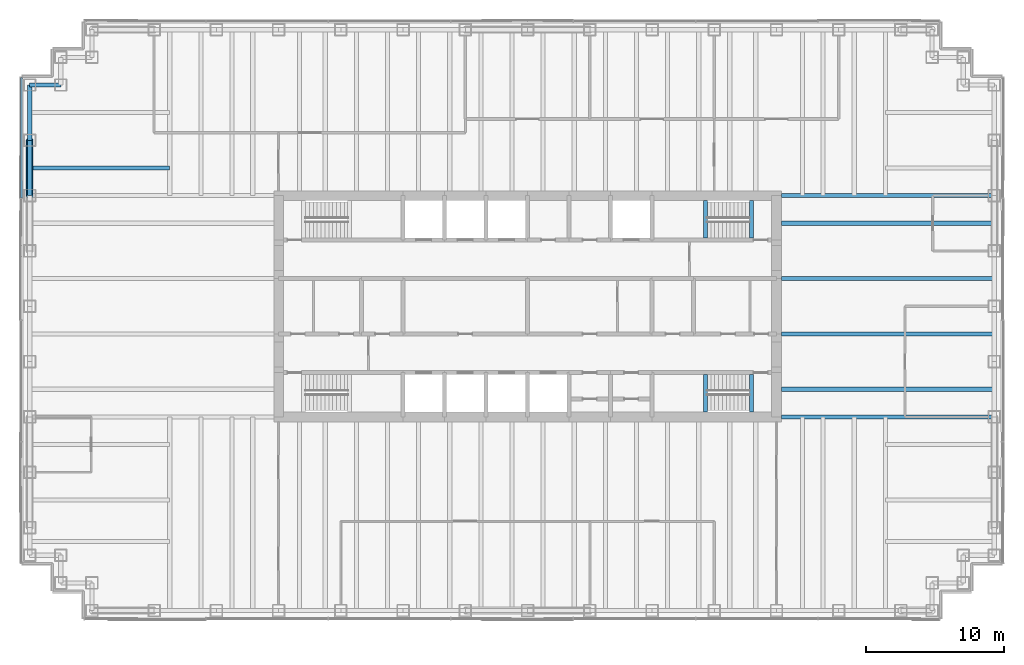
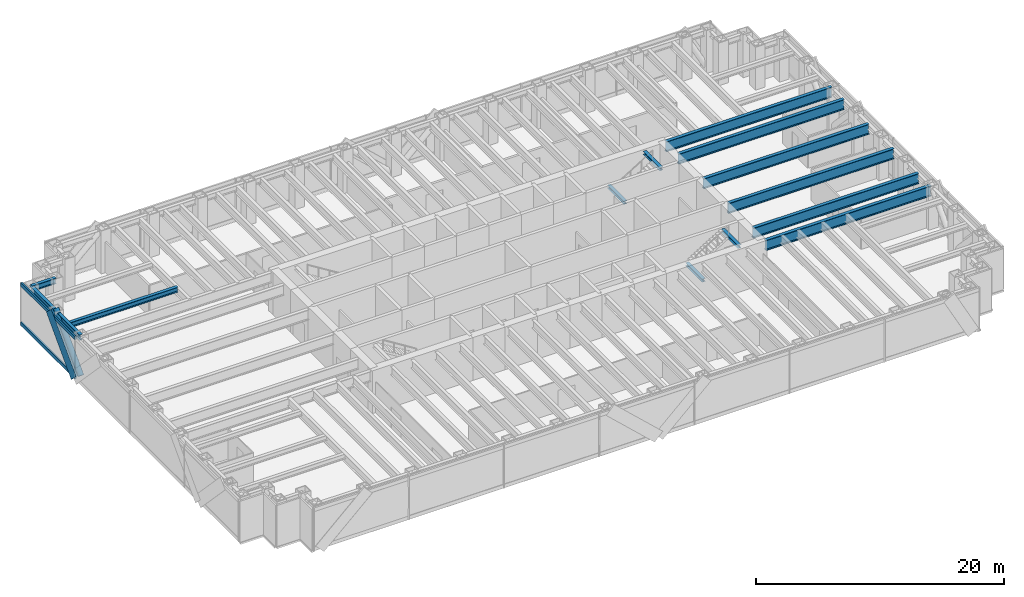
# One storey, part 5 of 17: 14 beams, 4 members, 1 element without a shape of its own.
"""IFC4 building model written with IfcOpenShell, lengths in metres."""

from ifc_helpers import new_model, si_unit, direction, frame, origin, origin_2d, place, context, subcontext, project, spatial, rectangle, hollow_circle, i_section, extrude, material, material_profile, profile_set, type_object, element, aggregate, save


model = new_model("IFC4")

# Units and contexts
model_context = context("Model", 3, precision=1e-05, world=origin(), true_north=direction((0.0, 1.0)))
body_context = subcontext(model_context, "Body", "Model", "MODEL_VIEW")
ifc_project = project(units=[si_unit("LENGTHUNIT", "METRE"), si_unit("AREAUNIT", "SQUARE_METRE"), si_unit("VOLUMEUNIT", "CUBIC_METRE"), si_unit("PLANEANGLEUNIT", "RADIAN"), si_unit("MASSUNIT", "GRAM", prefix="KILO")], contexts=[model_context])

# Site, building, storey
site_placement = place(None, origin())
site = spatial("IfcSite", under=ifc_project, at=site_placement, CompositionType="ELEMENT")
building_placement = place(site_placement, origin())
building = spatial("IfcBuilding", under=site, at=building_placement, Name="Rheinbord Bourse Tower", CompositionType="ELEMENT")
storey_placement = place(building_placement, frame((0.0, 0.0, 304.699951171875)))
storey = spatial("IfcBuildingStorey", under=building, at=storey_placement, Name="L69", CompositionType="ELEMENT", Elevation=304.699951171875)

# Curtain wall, members
ifc_material_1 = material(Name="Dark glass and black aluminium", Category="aluminium")
curtain_wall_type = type_object("IfcCurtainWallType", Name="CW3 DARK GLASS CURTAIN WALL", PredefinedType="USERDEFINED", material=ifc_material_1)
curtain_wall_placement = place(storey_placement, origin())
curtain_wall = element("IfcCurtainWall", 1, at=curtain_wall_placement, inside=storey, type_object=curtain_wall_type, Name="Curtain wall CW3 W L69", ObjectType="UNITISED CURTAIN WALL", PredefinedType="USERDEFINED")
ifc_material_2 = material(Name="Black anodised aluminium", Category="aluminium")
ifc_material_profile_1 = material_profile(ifc_material_2, rectangle(XDim=0.14990234375, YDim=1.10791015625, at=origin_2d()), Name="CW3 DIAGONAL MULLION 1108x150")
ifc_profile_set_1 = profile_set([ifc_material_profile_1], Name="Black anodised aluminium")
member_type_1 = type_object("IfcMemberType", Name="CW3 BLACK DIAGONAL MULLION", PredefinedType="USERDEFINED", material=ifc_profile_set_1)
member_1_placement = place(storey_placement, frame((-0.60009765625, 32.0, 0.0), z_axis=(0.0, 0.689659376744, 0.724133926887), x_axis=(-1.0, 0.0, 0.0)))
member_1 = element("IfcMember", 2, at=member_1_placement, type_object=member_type_1, Name="CW3 diagonal mullion b", ObjectType="DIAGONAL MULLION", PredefinedType="USERDEFINED", context=body_context, shape_type="SweptSolid", body=[
    extrude(rectangle(XDim=0.14990234375, YDim=1.10791015625, at=origin_2d()), origin(), (0.0, 0.0, 1.0), 5.800048828125),
])
ifc_material_3 = material(Name="Black anodised aluminium", Category="aluminium")
ifc_material_profile_2 = material_profile(ifc_material_3, rectangle(XDim=0.14990234375, YDim=0.35009765625, at=origin_2d()), Name="CW3 TRANSOM 350x150")
ifc_profile_set_2 = profile_set([ifc_material_profile_2], Name="Black anodised aluminium")
member_type_2 = type_object("IfcMemberType", Name="CW3 BLACK TRANSOM", PredefinedType="USERDEFINED", material=ifc_profile_set_2)
member_2_placement = place(storey_placement, frame((-0.60009765625, 40.534912109375, 0.175048828125), z_axis=(0.0, -1.0, 0.0), x_axis=(1.0, 0.0, 0.0)))
member_2 = element("IfcMember", 3, at=member_2_placement, type_object=member_type_2, Name="CW3 transom 1.1", ObjectType="TRANSOM", PredefinedType="USERDEFINED", context=body_context, shape_type="SweptSolid", body=[
    extrude(rectangle(XDim=0.14990234375, YDim=0.35009765625, at=origin_2d()), origin(), (0.0, 0.0, 1.0), 8.702392578125),
])
member_3_placement = place(storey_placement, frame((-0.60009765625, 40.534912109375, 4.025146484375), z_axis=(0.0, -1.0, 0.0), x_axis=(1.0, 0.0, 0.0)))
member_3 = element("IfcMember", 4, at=member_3_placement, type_object=member_type_2, Name="CW3 transom 1.2", ObjectType="TRANSOM", PredefinedType="USERDEFINED", context=body_context, shape_type="SweptSolid", body=[
    extrude(rectangle(XDim=0.14990234375, YDim=0.35009765625, at=origin_2d()), origin(), (0.0, 0.0, 1.0), 8.702392578125),
])
aggregate(curtain_wall, [member_2, member_3, member_1])

# Beams
ifc_material_4 = material(Name="Steel S460", Category="steel")
ifc_material_profile_3 = material_profile(ifc_material_4, i_section(OverallWidth=0.302001953125, OverallDepth=1.008056640625, WebThickness=0.02099609375, FlangeThickness=0.0400390625, at=origin_2d()), Name="HEM 1000")
ifc_profile_set_3 = profile_set([ifc_material_profile_3], Name="Steel S460")
beam_type_1 = type_object("IfcBeamType", Name="END BEAM HEM 1000", PredefinedType="BEAM", material=ifc_profile_set_3)
for number, where, z_axis, x_axis, name in (
    (5, (54.35009765625, 18.0, 3.5361328125), (1.0, 0.0, 0.0), (0.0, 1.0, 0.0), "End beam east 18 L70"),
    (6, (54.35009765625, 22.0, 3.5361328125), (1.0, 0.0, 0.0), (0.0, 1.0, 0.0), "End beam east 22 L70"),
    (7, (54.35009765625, 26.0, 3.5361328125), (1.0, 0.0, 0.0), (0.0, 1.0, 0.0), "End beam east 26 L70"),
    (8, (54.35009765625, 30.0, 3.5361328125), (1.0, 0.0, 0.0), (0.0, 1.0, 0.0), "End beam east 30 L70"),
):
    element("IfcBeam", number, at=place(storey_placement, frame(where, z_axis=z_axis, x_axis=x_axis)), inside=storey, type_object=beam_type_1, Name=name, PredefinedType="BEAM", context=body_context, shape_type="SweptSolid", body=[
        extrude(i_section(OverallWidth=0.302001953125, OverallDepth=1.008056640625, WebThickness=0.02099609375, FlangeThickness=0.0400390625, at=origin_2d()), origin(), (0.0, 0.0, 1.0), 15.39990234375),
    ])
ifc_material_5 = material(Name="Steel S460", Category="steel")
ifc_material_profile_4 = material_profile(ifc_material_5, i_section(OverallWidth=0.302001953125, OverallDepth=1.008056640625, WebThickness=0.02099609375, FlangeThickness=0.0400390625, at=origin_2d()), Name="HEM 1000")
ifc_profile_set_4 = profile_set([ifc_material_profile_4], Name="Steel S460")
beam_type_2 = type_object("IfcBeamType", Name="GIRDER HEM 1000", PredefinedType="BEAM", material=ifc_profile_set_4)
for number, where, z_axis, x_axis, name in (
    (9, (54.35009765625, 16.0, 3.5361328125), (1.0, 0.0, 0.0), (0.0, 1.0, 0.0), "Girder east 16 L70"),
    (10, (54.35009765625, 32.0, 3.5361328125), (1.0, 0.0, 0.0), (0.0, 1.0, 0.0), "Girder east 32 L70"),
):
    element("IfcBeam", number, at=place(storey_placement, frame(where, z_axis=z_axis, x_axis=x_axis)), inside=storey, type_object=beam_type_2, Name=name, PredefinedType="BEAM", context=body_context, shape_type="SweptSolid", body=[
        extrude(i_section(OverallWidth=0.302001953125, OverallDepth=1.008056640625, WebThickness=0.02099609375, FlangeThickness=0.0400390625, at=origin_2d()), origin(), (0.0, 0.0, 1.0), 15.39990234375),
    ])
ifc_material_6 = material(Name="Steel S460", Category="steel")
ifc_material_profile_5 = material_profile(ifc_material_6, i_section(OverallWidth=0.300048828125, OverallDepth=0.300048828125, WebThickness=0.010986328125, FlangeThickness=0.01904296875, at=origin_2d()), Name="HEB 300")
ifc_profile_set_5 = profile_set([ifc_material_profile_5], Name="Steel S460")
beam_type_3 = type_object("IfcBeamType", Name="LANDING TRIMMER HEB 300", PredefinedType="BEAM", material=ifc_profile_set_5)
for number, where, z_axis, x_axis, name in (
    (11, (48.8701171875, 16.35009765625, 1.75), (0.0, 1.0, 0.0), (-1.0, 0.0, 0.0), "Landing trimmer ST3 L69"),
    (12, (52.199951171875, 16.35009765625, 3.89013671875), (0.0, 1.0, 0.0), (-1.0, 0.0, 0.0), "Well trimmer ST3 under L70"),
    (13, (48.8701171875, 28.949951171875, 1.75), (0.0, 1.0, 0.0), (-1.0, 0.0, 0.0), "Landing trimmer ST4 L69"),
    (14, (52.199951171875, 28.949951171875, 3.89013671875), (0.0, 1.0, 0.0), (-1.0, 0.0, 0.0), "Well trimmer ST4 under L70"),
):
    element("IfcBeam", number, at=place(storey_placement, frame(where, z_axis=z_axis, x_axis=x_axis)), inside=storey, type_object=beam_type_3, Name=name, PredefinedType="BEAM", context=body_context, shape_type="SweptSolid", body=[
        extrude(i_section(OverallWidth=0.300048828125, OverallDepth=0.300048828125, WebThickness=0.010986328125, FlangeThickness=0.01904296875, at=origin_2d()), origin(), (0.0, 0.0, 1.0), 2.699951171875),
    ])

# Member
ifc_material_7 = material(Name="Steel S460", Category="steel")
ifc_material_profile_6 = material_profile(ifc_material_7, hollow_circle(Radius=0.25390625, WallThickness=0.030029296875, at=origin_2d()), Name="CHS 508x30")
ifc_profile_set_6 = profile_set([ifc_material_profile_6], Name="Steel S460")
member_type_3 = type_object("IfcMemberType", Name="MEGABRACE CHS 508x30", PredefinedType="BRACE", material=ifc_profile_set_6)
member_4_placement = place(storey_placement, frame((0.0, 32.0, 0.0), z_axis=(0.0, 0.689659376744, 0.724133926887), x_axis=(-1.0, 0.0, 0.0)))
element("IfcMember", 15, at=member_4_placement, inside=storey, type_object=member_type_3, Name="Megabrace W face line b L69", PredefinedType="BRACE", context=body_context, shape_type="SweptSolid", body=[
    extrude(hollow_circle(Radius=0.25390625, WallThickness=0.030029296875, at=origin_2d()), origin(), (0.0, 0.0, 1.0), 5.800048828125),
])

# Beams
ifc_material_8 = material(Name="Steel S460", Category="steel")
ifc_material_profile_7 = material_profile(ifc_material_8, i_section(OverallWidth=0.300048828125, OverallDepth=0.550048828125, WebThickness=0.014892578125, FlangeThickness=0.029052734375, at=origin_2d()), Name="HEB 550")
ifc_profile_set_7 = profile_set([ifc_material_profile_7], Name="Steel S460")
beam_type_4 = type_object("IfcBeamType", Name="SPANDREL HEB 550", PredefinedType="SPANDREL", material=ifc_profile_set_7)
beam_1_placement = place(storey_placement, frame((2.25, 40.0, 3.76513671875), z_axis=(-1.0, 0.0, 0.0), x_axis=(0.0, -1.0, 0.0)))
element("IfcBeam", 16, at=beam_1_placement, inside=storey, type_object=beam_type_4, Name="Spandrel NW-B-NW-A under L70", PredefinedType="SPANDREL", context=body_context, shape_type="SweptSolid", body=[
    extrude(i_section(OverallWidth=0.300048828125, OverallDepth=0.550048828125, WebThickness=0.014892578125, FlangeThickness=0.029052734375, at=origin_2d()), origin(), (0.0, 0.0, 1.0), 2.25),
])
for number, where, z_axis, x_axis, name in (
    (17, (0.0, 40.0, 3.76513671875), (0.0, -1.0, 0.0), (1.0, 0.0, 0.0), "Spandrel NW-A-W-36 under L70"),
    (18, (0.0, 36.0, 3.76513671875), (0.0, -1.0, 0.0), (1.0, 0.0, 0.0), "Spandrel W-36-W-32 under L70"),
):
    element("IfcBeam", number, at=place(storey_placement, frame(where, z_axis=z_axis, x_axis=x_axis)), inside=storey, type_object=beam_type_4, Name=name, PredefinedType="SPANDREL", context=body_context, shape_type="SweptSolid", body=[
        extrude(i_section(OverallWidth=0.300048828125, OverallDepth=0.550048828125, WebThickness=0.014892578125, FlangeThickness=0.029052734375, at=origin_2d()), origin(), (0.0, 0.0, 1.0), 4.0),
    ])
ifc_material_9 = material(Name="Steel S460", Category="steel")
ifc_material_profile_8 = material_profile(ifc_material_9, i_section(OverallWidth=0.300048828125, OverallDepth=0.5, WebThickness=0.014404296875, FlangeThickness=0.028076171875, at=origin_2d()), Name="HEB 500")
ifc_profile_set_8 = profile_set([ifc_material_profile_8], Name="Steel S460")
beam_type_5 = type_object("IfcBeamType", Name="TIE BEAM HEB 500", PredefinedType="JOIST", material=ifc_profile_set_8)
beam_2_placement = place(storey_placement, frame((0.0, 34.0, 3.7900390625), z_axis=(1.0, 0.0, 0.0), x_axis=(0.0, 1.0, 0.0)))
element("IfcBeam", 19, at=beam_2_placement, inside=storey, type_object=beam_type_5, Name="Tie west 34 L70", PredefinedType="JOIST", context=body_context, shape_type="SweptSolid", body=[
    extrude(i_section(OverallWidth=0.300048828125, OverallDepth=0.5, WebThickness=0.014404296875, FlangeThickness=0.028076171875, at=origin_2d()), origin(), (0.0, 0.0, 1.0), 10.125),
])

save(model, "model.ifc")
